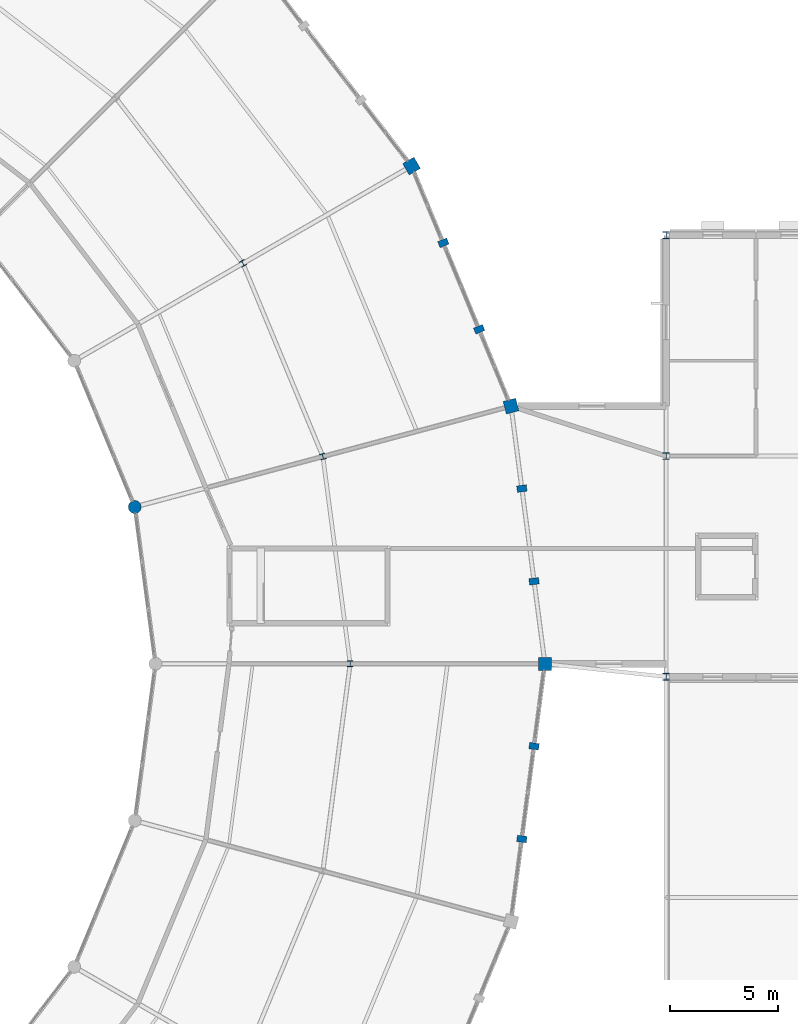
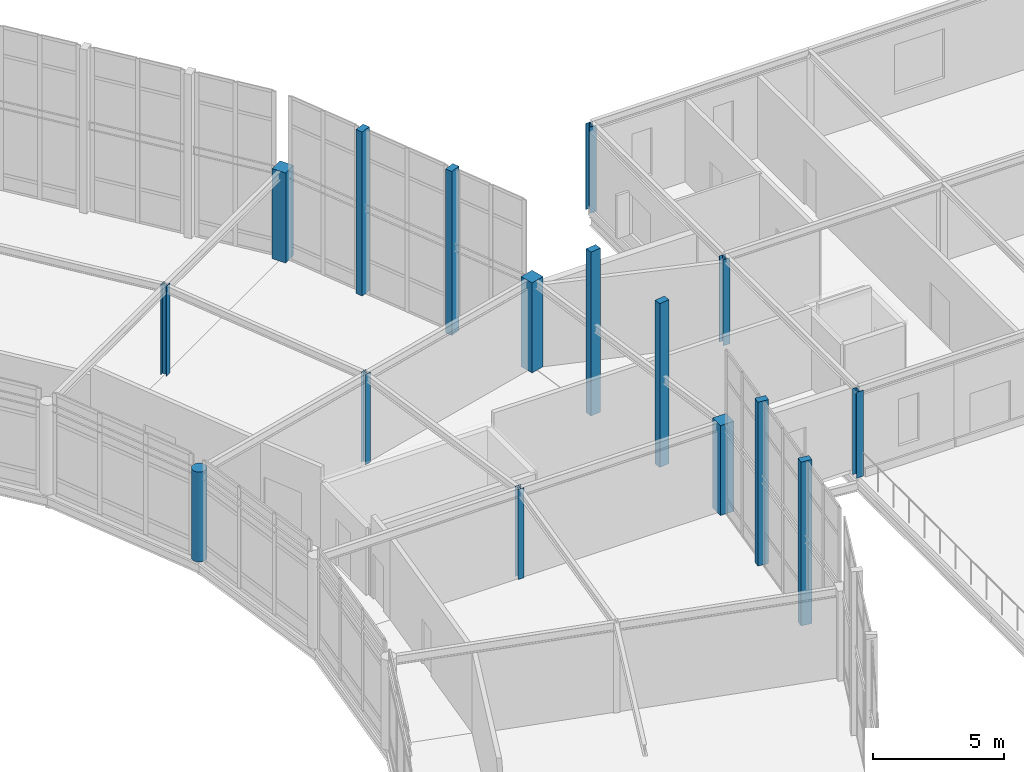
# One storey, part 16 of 185: 16 columns.
"""IFC4 building model written with IfcOpenShell, lengths in metres."""

from ifc_helpers import new_model, si_unit, direction, frame, origin, origin_2d, place, context, subcontext, project, spatial, rectangle, circle, i_section, extrude, material, material_profile, profile_set, type_object, element, save


model = new_model("IFC4")

# Units and contexts
model_context = context("Model", 3, precision=1e-05, world=origin(), true_north=direction((0.0, 1.0)))
body_context = subcontext(model_context, "Body", "Model", "MODEL_VIEW")
ifc_project = project(units=[si_unit("LENGTHUNIT", "METRE"), si_unit("AREAUNIT", "SQUARE_METRE"), si_unit("VOLUMEUNIT", "CUBIC_METRE"), si_unit("PLANEANGLEUNIT", "RADIAN"), si_unit("MASSUNIT", "GRAM", prefix="KILO")], contexts=[model_context])

# Site, building, storey
site_placement = place(None, origin())
site = spatial("IfcSite", under=ifc_project, at=site_placement, CompositionType="ELEMENT")
building_placement = place(site_placement, origin())
building = spatial("IfcBuilding", under=site, at=building_placement, Name="Vondelvale Polytechnic", CompositionType="ELEMENT")
storey_placement = place(building_placement, frame((0.0, 0.0, 9.60009765625)))
storey = spatial("IfcBuildingStorey", under=building, at=storey_placement, Name="L02", CompositionType="ELEMENT", Elevation=9.60009765625)

# Columns
ifc_material_1 = material(Name="Glulam GL18 structural Tasmanian oak (fb = 42 MPa)", Category="wood")
ifc_material_profile_1 = material_profile(ifc_material_1, rectangle(XDim=0.300048828125, YDim=0.449951171875, at=origin_2d()), Name="GL-POST-300x450")
ifc_profile_set_1 = profile_set([ifc_material_profile_1], Name="Glulam GL18 structural Tasmanian oak (fb = 42 MPa)")
column_type_1 = type_object("IfcColumnType", Name="COL-GLULAM-300x450", PredefinedType="PILASTER", material=ifc_profile_set_1)
for number, where, z_axis, x_axis, name in (
    (1, (147.498291015625, 75.809814453125, 0.0), (0.0, 0.0, 1.0), (-0.13052619222, 0.991444861374, 0.0), "L02 ring outer glulam timber post C00-P1"),
    (2, (146.93408203125, 80.095947265625, 0.0), (0.0, 0.0, 1.0), (-0.13052619222, 0.991444861374, 0.0), "L02 ring outer glulam timber post C00-P2"),
    (3, (144.962158203125, 87.455810546875, 0.0), (0.0, 0.0, 1.0), (-0.382683432365, 0.923879532511, 0.0), "L02 ring outer glulam timber post C01-P1"),
    (4, (143.3076171875, 91.44970703125, 0.0), (0.0, 0.0, 1.0), (-0.382683432365, 0.923879532511, 0.0), "L02 ring outer glulam timber post C01-P2"),
    (5, (146.93408203125, 63.904052734375, 0.0), (0.0, 0.0, 1.0), (0.13052619222, 0.991444861374, 0.0), "L02 ring outer glulam timber post C23-P1"),
    (6, (147.498291015625, 68.190185546875, 0.0), (0.0, 0.0, 1.0), (0.13052619222, 0.991444861374, 0.0), "L02 ring outer glulam timber post C23-P2"),
):
    element("IfcColumn", number, at=place(storey_placement, frame(where, z_axis=z_axis, x_axis=x_axis)), inside=storey, type_object=column_type_1, Name=name, PredefinedType="PILASTER", context=body_context, shape_type="SweptSolid", body=[
        extrude(rectangle(XDim=0.300048828125, YDim=0.449951171875, at=origin_2d()), origin(), (0.0, 0.0, 1.0), 7.6513671875),
    ])
ifc_material_2 = material(Name="Concrete N50 (f'c = 50 MPa)", Category="concrete")
ifc_material_profile_2 = material_profile(ifc_material_2, rectangle(XDim=0.60009765625, YDim=0.60009765625, at=origin_2d()), Name="RC-COL-600x600")
ifc_profile_set_2 = profile_set([ifc_material_profile_2], Name="Concrete N50 (f'c = 50 MPa)")
column_type_2 = type_object("IfcColumnType", Name="COL-RC600", PredefinedType="COLUMN", material=ifc_profile_set_2)
for number, where, z_axis, x_axis, name in (
    (7, (148.0, 72.0, 0.0), (0.0, 0.0, 1.0), (1.0, 0.0, 0.0), "L02 courtyard ring column S00-RO"),
    (8, (146.4326171875, 83.90576171875, 0.0), (0.0, 0.0, 1.0), (0.965925826289, 0.258819045103, 0.0), "L02 courtyard ring column S01-RO"),
    (9, (141.837158203125, 95.0, 0.0), (0.0, 0.0, 1.0), (0.866025403784, 0.5, 0.0), "L02 courtyard ring column S02-RO"),
):
    element("IfcColumn", number, at=place(storey_placement, frame(where, z_axis=z_axis, x_axis=x_axis)), inside=storey, type_object=column_type_2, Name=name, PredefinedType="COLUMN", context=body_context, shape_type="SweptSolid", body=[
        extrude(rectangle(XDim=0.60009765625, YDim=0.60009765625, at=origin_2d()), origin(), (0.0, 0.0, 1.0), 4.199951171875),
    ])
ifc_material_profile_3 = material_profile(ifc_material_2, circle(Radius=0.300048828125, at=origin_2d()), Name="RC-COL-D600")
ifc_profile_set_3 = profile_set([ifc_material_profile_3], Name="Concrete N50 (f'c = 50 MPa)")
column_type_3 = type_object("IfcColumnType", Name="COL-RCD600", PredefinedType="COLUMN", material=ifc_profile_set_3)
column_placement = place(storey_placement, frame((129.0458984375, 79.246826171875, 0.0), z_axis=(0.0, 0.0, 1.0), x_axis=(0.965925826289, 0.258819045103, 0.0)))
element("IfcColumn", 10, at=column_placement, inside=storey, type_object=column_type_3, Name="L02 courtyard ring column S01-RI", PredefinedType="COLUMN", context=body_context, shape_type="SweptSolid", body=[
    extrude(circle(Radius=0.300048828125, at=origin_2d()), origin(), (0.0, 0.0, 1.0), 4.199951171875),
])
ifc_material_3 = material(Name="Steel 300PLUS (fy = 300 MPa)", Category="steel")
ifc_material_profile_4 = material_profile(ifc_material_3, i_section(OverallWidth=0.256103515625, OverallDepth=0.260009765625, WebThickness=0.010498046875, FlangeThickness=0.017333984375, FilletRadius=0.013916015625, at=origin_2d()), Name="250UC89.5")
ifc_profile_set_4 = profile_set([ifc_material_profile_4], Name="Steel 300PLUS (fy = 300 MPa)")
column_type_4 = type_object("IfcColumnType", Name="COL-UC250", PredefinedType="COLUMN", material=ifc_profile_set_4)
for number, where, z_axis, x_axis, name in (
    (11, (139.0, 72.0, 0.0), (0.0, 0.0, 1.0), (1.0, 0.0, 0.0), "L02 courtyard ring column S00-RM"),
    (12, (137.7392578125, 81.576416015625, 0.0), (0.0, 0.0, 1.0), (0.965925826289, 0.258819045103, 0.0), "L02 courtyard ring column S01-RM"),
    (13, (134.04296875, 90.5, 0.0), (0.0, 0.0, 1.0), (0.866025403784, 0.5, 0.0), "L02 courtyard ring column S02-RM"),
):
    element("IfcColumn", number, at=place(storey_placement, frame(where, z_axis=z_axis, x_axis=x_axis)), inside=storey, type_object=column_type_4, Name=name, PredefinedType="COLUMN", context=body_context, shape_type="SweptSolid", body=[
        extrude(i_section(OverallWidth=0.256103515625, OverallDepth=0.260009765625, WebThickness=0.010498046875, FlangeThickness=0.017333984375, FilletRadius=0.013916015625, at=origin_2d()), origin(), (0.0, 0.0, 1.0), 4.199951171875),
    ])
ifc_material_profile_5 = material_profile(ifc_material_3, i_section(OverallWidth=0.304931640625, OverallDepth=0.30810546875, WebThickness=0.010009765625, FlangeThickness=0.015380859375, FilletRadius=0.0166015625, at=origin_2d()), Name="310UC96.8")
ifc_profile_set_5 = profile_set([ifc_material_profile_5], Name="Steel 300PLUS (fy = 300 MPa)")
column_type_5 = type_object("IfcColumnType", Name="COL-UC310L", PredefinedType="COLUMN", material=ifc_profile_set_5)
for number, where, z_axis, x_axis, name in (
    (14, (153.60009765625, 71.39990234375, 0.0), (0.0, 0.0, 1.0), (1.0, 0.0, 0.0), "L02 East pavilion column (153.6,71.4)"),
    (15, (153.60009765625, 81.60009765625, 0.0), (0.0, 0.0, 1.0), (1.0, 0.0, 0.0), "L02 East pavilion column (153.6,81.6)"),
    (16, (153.60009765625, 91.800048828125, 0.0), (0.0, 0.0, 1.0), (1.0, 0.0, 0.0), "L02 East pavilion column (153.6,91.8)"),
):
    element("IfcColumn", number, at=place(storey_placement, frame(where, z_axis=z_axis, x_axis=x_axis)), inside=storey, type_object=column_type_5, Name=name, PredefinedType="COLUMN", context=body_context, shape_type="SweptSolid", body=[
        extrude(i_section(OverallWidth=0.304931640625, OverallDepth=0.30810546875, WebThickness=0.010009765625, FlangeThickness=0.015380859375, FilletRadius=0.0166015625, at=origin_2d()), origin(), (0.0, 0.0, 1.0), 4.02001953125),
    ])

save(model, "model.ifc")
